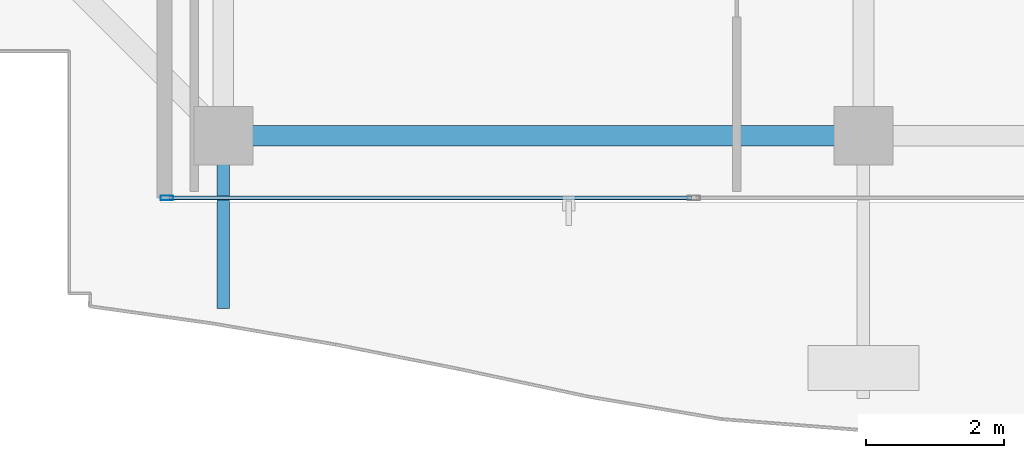
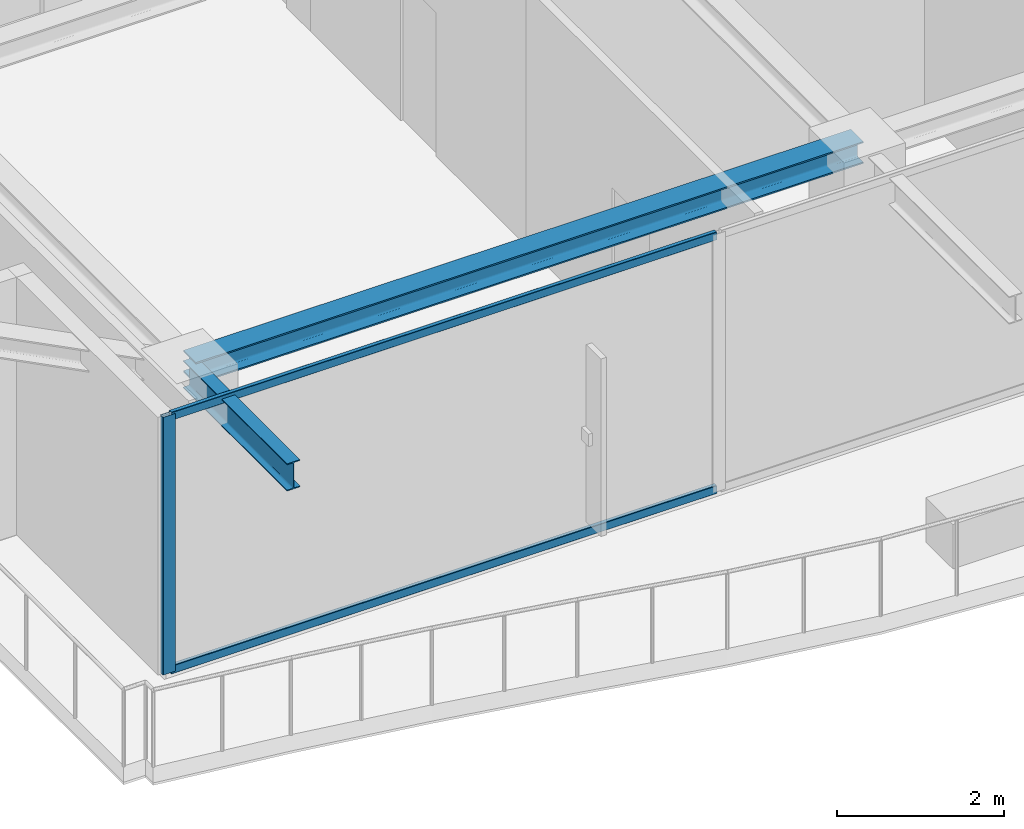
# One storey, part 2 of 36: 3 members, 2 beams, 1 element without a shape of its own.
"""IFC4 building model written with IfcOpenShell, lengths in metres."""

from ifc_helpers import new_model, si_unit, direction, frame, origin, origin_2d, place, context, subcontext, project, spatial, hollow_rectangle, i_section, extrude, source, transform, mapped, material, layer, layer_set, material_profile, profile_set, type_object, element, aggregate, save


model = new_model("IFC4")

# Units and contexts
model_context = context("Model", 3, precision=1e-05, world=origin(), true_north=direction((0.0, 1.0)))
body_context = subcontext(model_context, "Body", "Model", "MODEL_VIEW")
ifc_project = project(units=[si_unit("LENGTHUNIT", "METRE"), si_unit("AREAUNIT", "SQUARE_METRE"), si_unit("VOLUMEUNIT", "CUBIC_METRE"), si_unit("PLANEANGLEUNIT", "RADIAN"), si_unit("MASSUNIT", "GRAM", prefix="KILO")], contexts=[model_context])

# Site, building, storey
site_placement = place(None, origin())
site = spatial("IfcSite", under=ifc_project, at=site_placement, CompositionType="ELEMENT")
building_placement = place(site_placement, origin())
building = spatial("IfcBuilding", under=site, at=building_placement, Name="Serunith Strait Residences", CompositionType="ELEMENT")
storey_placement = place(building_placement, frame((0.0, 0.0, 338.0)))
storey = spatial("IfcBuildingStorey", under=building, at=storey_placement, Name="L84", CompositionType="ELEMENT", Elevation=338.0)

# Beams
ifc_material_1 = material(Name="Steel S355J2", Category="steel")
ifc_material_profile_1 = material_profile(ifc_material_1, i_section(OverallWidth=0.300048828125, OverallDepth=0.320068359375, WebThickness=0.011474609375, FlangeThickness=0.0205078125, FilletRadius=0.027099609375, at=origin_2d()), Name="HEB 320")
ifc_profile_set_1 = profile_set([ifc_material_profile_1], Name="Steel S355J2")
beam_type_1 = type_object("IfcBeamType", Name="BM-HEB320", PredefinedType="BEAM", material=ifc_profile_set_1)
shared_shape_1 = source(origin(), body_context, "Body", "SweptSolid", [
    extrude(i_section(OverallWidth=0.300048828125, OverallDepth=0.320068359375, WebThickness=0.011474609375, FlangeThickness=0.0205078125, FilletRadius=0.027099609375, at=origin_2d()), origin(), (0.0, 0.0, 1.0), 9.25),
])
beam_1_placement = place(storey_placement, frame((18.64990234375, 4.89990234375, 3.626953125), z_axis=(1.0, 0.0, 0.0), x_axis=(0.0, 1.0, 0.0)))
element("IfcBeam", 1, at=beam_1_placement, inside=storey, type_object=beam_type_1, Name="L84 Perimeter Ring Beam 01", PredefinedType="BEAM", context=body_context, shape_type="MappedRepresentation", body=[
    mapped(shared_shape_1, transform((0.0, 0.0, 0.0), scale=1.0)),
])
ifc_material_profile_2 = material_profile(ifc_material_1, i_section(OverallWidth=0.179931640625, OverallDepth=0.39990234375, WebThickness=0.008544921875, FlangeThickness=0.013427734375, FilletRadius=0.02099609375, at=origin_2d()), Name="IPE 400")
ifc_profile_set_2 = profile_set([ifc_material_profile_2], Name="Steel S355J2")
beam_type_2 = type_object("IfcBeamType", Name="BM-IPE400", PredefinedType="JOIST", material=ifc_profile_set_2)
shared_shape_2 = source(origin(), body_context, "Body", "SweptSolid", [
    extrude(i_section(OverallWidth=0.179931640625, OverallDepth=0.39990234375, WebThickness=0.008544921875, FlangeThickness=0.013427734375, FilletRadius=0.02099609375, at=origin_2d()), origin(), (0.0, 0.0, 1.0), 2.494384765625),
])
beam_2_placement = place(storey_placement, frame((18.64990234375, 4.89990234375, 3.556884765625), z_axis=(0.0, -1.0, 0.0), x_axis=(1.0, 0.0, 0.0)))
element("IfcBeam", 2, at=beam_2_placement, inside=storey, type_object=beam_type_2, Name="L85 Cantilevered Balcony Rib TC-S1", PredefinedType="JOIST", context=body_context, shape_type="MappedRepresentation", body=[
    mapped(shared_shape_2, transform((0.0, 0.0, 0.0), scale=1.0)),
])

# Curtain wall, members
ifc_material_2 = material(Name="Brushed Stainless-Silver Aluminium", Category="aluminium")
ifc_layer = layer(ifc_material_2, 0.199951171875, Name="Brushed Stainless-Silver Aluminium")
ifc_layer_set = layer_set([ifc_layer], Name="Brushed Stainless-Silver Aluminium")
curtain_wall_type = type_object("IfcCurtainWallType", Name="CW-SYS5", PredefinedType="NOTDEFINED", material=ifc_layer_set)
curtain_wall_placement = place(storey_placement, origin())
curtain_wall = element("IfcCurtainWall", 3, at=curtain_wall_placement, inside=storey, type_object=curtain_wall_type, Name="L84 S Unitised Fritted Curtain Wall", PredefinedType="NOTDEFINED")
ifc_material_profile_3 = material_profile(ifc_material_2, hollow_rectangle(XDim=0.06494140625, YDim=0.179931640625, WallThickness=0.00341796875, InnerFilletRadius=0.00537109375, OuterFilletRadius=0.0087890625, at=origin_2d()), Name="ALU 180x65x3.5")
ifc_profile_set_3 = profile_set([ifc_material_profile_3], Name="Brushed Stainless-Silver Aluminium")
member_type_1 = type_object("IfcMemberType", Name="CW-SYS5-MULL", PredefinedType="MULLION", material=ifc_profile_set_3)
shared_shape_3 = source(origin(), body_context, "Body", "SweptSolid", [
    extrude(hollow_rectangle(XDim=0.06494140625, YDim=0.179931640625, WallThickness=0.00341796875, InnerFilletRadius=0.00537109375, OuterFilletRadius=0.0087890625, at=origin_2d()), origin(), (0.0, 0.0, 1.0), 3.77490234375),
])
member_1_placement = place(storey_placement, frame((17.83251953125, 4.0, 0.0), z_axis=(0.0, 0.0, 1.0), x_axis=(0.0, 1.0, 0.0)))
member_1 = element("IfcMember", 4, at=member_1_placement, type_object=member_type_1, Name="CW-5 mullion 1", PredefinedType="MULLION", context=body_context, shape_type="MappedRepresentation", body=[
    mapped(shared_shape_3, transform((0.0, 0.0, 0.0), scale=1.0)),
])
ifc_material_profile_4 = material_profile(ifc_material_2, hollow_rectangle(XDim=0.06005859375, YDim=0.1201171875, WallThickness=0.00341796875, InnerFilletRadius=0.00537109375, OuterFilletRadius=0.0087890625, at=origin_2d()), Name="ALU 120x60x3.5")
ifc_profile_set_4 = profile_set([ifc_material_profile_4], Name="Brushed Stainless-Silver Aluminium")
member_type_2 = type_object("IfcMemberType", Name="CW-SYS5-TRAN", PredefinedType="USERDEFINED", material=ifc_profile_set_4)
shared_shape_4 = source(origin(), body_context, "Body", "SweptSolid", [
    extrude(hollow_rectangle(XDim=0.06005859375, YDim=0.1201171875, WallThickness=0.00341796875, InnerFilletRadius=0.00537109375, OuterFilletRadius=0.0087890625, at=origin_2d()), origin(), (0.0, 0.0, 1.0), 7.552490234375),
])
member_2_placement = place(storey_placement, frame((17.864990234375, 4.0, 0.030029296875), z_axis=(1.0, 0.0, 0.0), x_axis=(0.0, 1.0, 0.0)))
member_2 = element("IfcMember", 5, at=member_2_placement, type_object=member_type_2, Name="CW-5 transom 1.1", ObjectType="TRANSOM", PredefinedType="USERDEFINED", context=body_context, shape_type="MappedRepresentation", body=[
    mapped(shared_shape_4, transform((0.0, 0.0, 0.0), scale=1.0)),
])
member_3_placement = place(storey_placement, frame((17.864990234375, 4.0, 3.7451171875), z_axis=(1.0, 0.0, 0.0), x_axis=(0.0, 1.0, 0.0)))
member_3 = element("IfcMember", 6, at=member_3_placement, type_object=member_type_2, Name="CW-5 transom 1.2", ObjectType="TRANSOM", PredefinedType="USERDEFINED", context=body_context, shape_type="MappedRepresentation", body=[
    mapped(shared_shape_4, transform((0.0, 0.0, 0.0), scale=1.0)),
])
aggregate(curtain_wall, [member_1, member_2, member_3])

save(model, "model.ifc")
